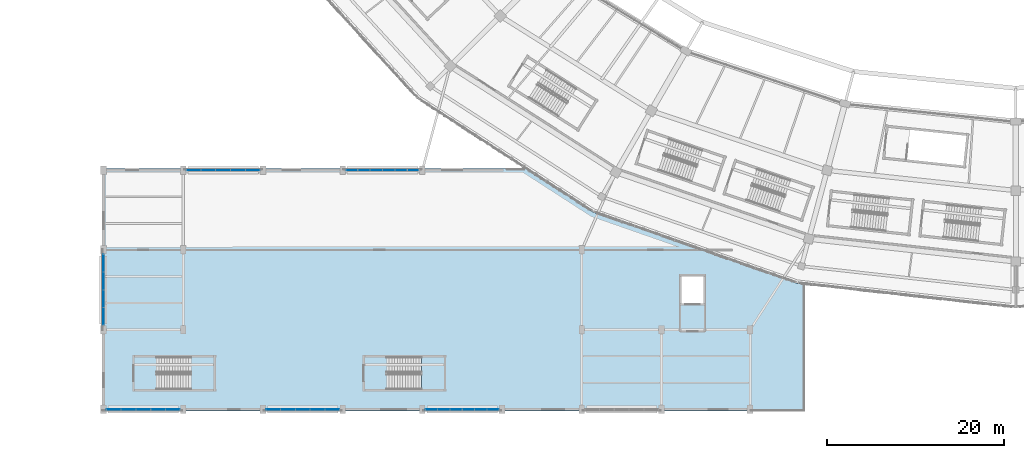
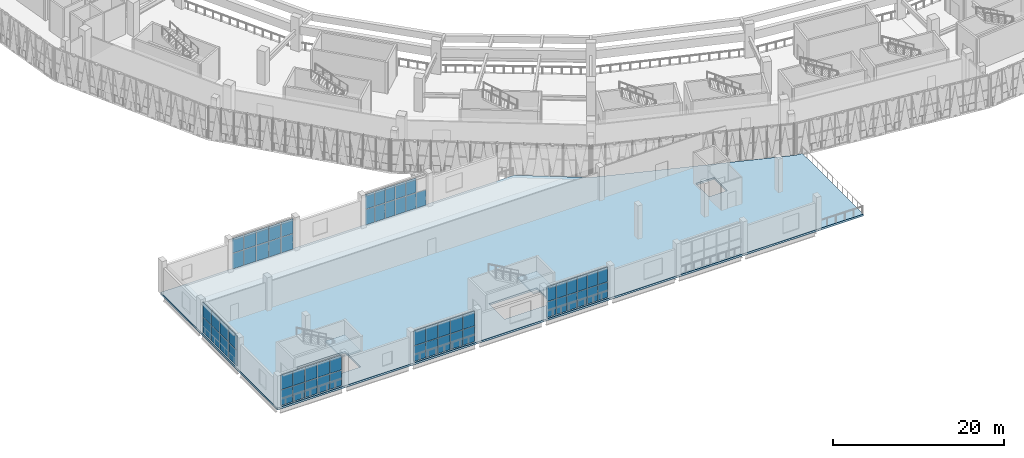
# One storey, part 75 of 179: 61 plates, 3 slabs, 8 elements without a shape of their own.
"""IFC4 building model written with IfcOpenShell, lengths in metres."""

from ifc_helpers import new_model, si_unit, direction, frame, origin, origin_2d, place, context, subcontext, project, spatial, polyline, rectangle, outline, extrude, material, layer, layer_set, type_object, element, aggregate, save


model = new_model("IFC4")

# Units and contexts
model_context = context("Model", 3, precision=1e-05, world=origin(), true_north=direction((0.0, 1.0)))
body_context = subcontext(model_context, "Body", "Model", "MODEL_VIEW")
ifc_project = project(units=[si_unit("LENGTHUNIT", "METRE"), si_unit("AREAUNIT", "SQUARE_METRE"), si_unit("VOLUMEUNIT", "CUBIC_METRE"), si_unit("PLANEANGLEUNIT", "RADIAN"), si_unit("MASSUNIT", "GRAM", prefix="KILO")], contexts=[model_context])

# Site, building, storey
site_placement = place(None, origin())
site = spatial("IfcSite", under=ifc_project, at=site_placement, CompositionType="ELEMENT")
building_placement = place(site_placement, origin())
building = spatial("IfcBuilding", under=site, at=building_placement, Name="Zevraka Park Crest Stadium", CompositionType="ELEMENT")
storey_placement = place(building_placement, frame((0.0, 0.0, 10.199951171875)))
storey = spatial("IfcBuildingStorey", under=building, at=storey_placement, Name="L02", CompositionType="ELEMENT", Elevation=10.199951171875)

# Curtain wall, plates
ifc_material_1 = material(Name="Anodised architectural aluminium and laminated safety glass", Category="aluminium")
curtain_wall_type_1 = type_object("IfcCurtainWallType", Name="CW26", PredefinedType="NOTDEFINED", material=ifc_material_1)
curtain_wall_1_placement = place(storey_placement, origin())
curtain_wall_1 = element("IfcCurtainWall", 1, at=curtain_wall_1_placement, inside=storey, type_object=curtain_wall_type_1, Name="Wing Curtain Wall CW26 L02-SW-S1-4", PredefinedType="NOTDEFINED")
ifc_material_2 = material(Name="Solar-control laminated double glazing", Category="glass")
ifc_layer_1 = layer(ifc_material_2, 0.035888671875)
ifc_layer_set_1 = layer_set([ifc_layer_1], Name="Solar-control laminated double glazing")
plate_type_1 = type_object("IfcPlateType", Name="CP26", PredefinedType="CURTAIN_PANEL", material=ifc_layer_set_1)
plate_1_placement = place(storey_placement, frame((52.97119140625, 0.0, 0.06494140625), z_axis=(0.0, 0.0, 1.0), x_axis=(-1.0, 0.0, 0.0)))
plate_1 = element("IfcPlate", 2, at=plate_1_placement, type_object=plate_type_1, Name="CW26 panel 1.1", PredefinedType="CURTAIN_PANEL", context=body_context, shape_type="SweptSolid", body=[
    extrude(rectangle(XDim=1.297607421875, YDim=0.035888671875, at=origin_2d()), origin(), (0.0, 0.0, 1.0), 2.202392578125),
])
plate_2_placement = place(storey_placement, frame((52.97119140625, 0.0, 2.33251953125), z_axis=(0.0, 0.0, 1.0), x_axis=(-1.0, 0.0, 0.0)))
plate_2 = element("IfcPlate", 3, at=plate_2_placement, type_object=plate_type_1, Name="CW26 panel 1.2", PredefinedType="CURTAIN_PANEL", context=body_context, shape_type="SweptSolid", body=[
    extrude(rectangle(XDim=1.297607421875, YDim=0.035888671875, at=origin_2d()), origin(), (0.0, 0.0, 1.0), 2.1025390625),
])
plate_3_placement = place(storey_placement, frame((51.592529296875, 0.0, 0.06494140625), z_axis=(0.0, 0.0, 1.0), x_axis=(-1.0, 0.0, 0.0)))
plate_3 = element("IfcPlate", 4, at=plate_3_placement, type_object=plate_type_1, Name="CW26 panel 2.1", PredefinedType="CURTAIN_PANEL", context=body_context, shape_type="SweptSolid", body=[
    extrude(rectangle(XDim=1.330078125, YDim=0.035888671875, at=origin_2d()), origin(), (0.0, 0.0, 1.0), 2.202392578125),
])
plate_4_placement = place(storey_placement, frame((51.592529296875, 0.0, 2.33251953125), z_axis=(0.0, 0.0, 1.0), x_axis=(-1.0, 0.0, 0.0)))
plate_4 = element("IfcPlate", 5, at=plate_4_placement, type_object=plate_type_1, Name="CW26 panel 2.2", PredefinedType="CURTAIN_PANEL", context=body_context, shape_type="SweptSolid", body=[
    extrude(rectangle(XDim=1.330078125, YDim=0.035888671875, at=origin_2d()), origin(), (0.0, 0.0, 1.0), 2.1025390625),
])
plate_5_placement = place(storey_placement, frame((50.197509765625, 0.0, 0.06494140625), z_axis=(0.0, 0.0, 1.0), x_axis=(-1.0, 0.0, 0.0)))
plate_5 = element("IfcPlate", 6, at=plate_5_placement, type_object=plate_type_1, Name="CW26 panel 3.1", PredefinedType="CURTAIN_PANEL", context=body_context, shape_type="SweptSolid", body=[
    extrude(rectangle(XDim=1.330078125, YDim=0.035888671875, at=origin_2d()), origin(), (0.0, 0.0, 1.0), 2.202392578125),
])
plate_6_placement = place(storey_placement, frame((50.197509765625, 0.0, 2.33251953125), z_axis=(0.0, 0.0, 1.0), x_axis=(-1.0, 0.0, 0.0)))
plate_6 = element("IfcPlate", 7, at=plate_6_placement, type_object=plate_type_1, Name="CW26 panel 3.2", PredefinedType="CURTAIN_PANEL", context=body_context, shape_type="SweptSolid", body=[
    extrude(rectangle(XDim=1.330078125, YDim=0.035888671875, at=origin_2d()), origin(), (0.0, 0.0, 1.0), 2.1025390625),
])
plate_7_placement = place(storey_placement, frame((48.802490234375, 0.0, 0.06494140625), z_axis=(0.0, 0.0, 1.0), x_axis=(-1.0, 0.0, 0.0)))
plate_7 = element("IfcPlate", 8, at=plate_7_placement, type_object=plate_type_1, Name="CW26 panel 4.1", PredefinedType="CURTAIN_PANEL", context=body_context, shape_type="SweptSolid", body=[
    extrude(rectangle(XDim=1.330078125, YDim=0.035888671875, at=origin_2d()), origin(), (0.0, 0.0, 1.0), 2.202392578125),
])
plate_8_placement = place(storey_placement, frame((48.802490234375, 0.0, 2.33251953125), z_axis=(0.0, 0.0, 1.0), x_axis=(-1.0, 0.0, 0.0)))
plate_8 = element("IfcPlate", 9, at=plate_8_placement, type_object=plate_type_1, Name="CW26 panel 4.2", PredefinedType="CURTAIN_PANEL", context=body_context, shape_type="SweptSolid", body=[
    extrude(rectangle(XDim=1.330078125, YDim=0.035888671875, at=origin_2d()), origin(), (0.0, 0.0, 1.0), 2.1025390625),
])
plate_9_placement = place(storey_placement, frame((47.407470703125, 0.0, 0.06494140625), z_axis=(0.0, 0.0, 1.0), x_axis=(-1.0, 0.0, 0.0)))
plate_9 = element("IfcPlate", 10, at=plate_9_placement, type_object=plate_type_1, Name="CW26 panel 5.1", PredefinedType="CURTAIN_PANEL", context=body_context, shape_type="SweptSolid", body=[
    extrude(rectangle(XDim=1.330078125, YDim=0.035888671875, at=origin_2d()), origin(), (0.0, 0.0, 1.0), 2.202392578125),
])
plate_10_placement = place(storey_placement, frame((47.407470703125, 0.0, 2.33251953125), z_axis=(0.0, 0.0, 1.0), x_axis=(-1.0, 0.0, 0.0)))
plate_10 = element("IfcPlate", 11, at=plate_10_placement, type_object=plate_type_1, Name="CW26 panel 5.2", PredefinedType="CURTAIN_PANEL", context=body_context, shape_type="SweptSolid", body=[
    extrude(rectangle(XDim=1.330078125, YDim=0.035888671875, at=origin_2d()), origin(), (0.0, 0.0, 1.0), 2.1025390625),
])
plate_11_placement = place(storey_placement, frame((46.02880859375, 0.0, 0.06494140625), z_axis=(0.0, 0.0, 1.0), x_axis=(-1.0, 0.0, 0.0)))
plate_11 = element("IfcPlate", 12, at=plate_11_placement, type_object=plate_type_1, Name="CW26 panel 6.1", PredefinedType="CURTAIN_PANEL", context=body_context, shape_type="SweptSolid", body=[
    extrude(rectangle(XDim=1.297607421875, YDim=0.035888671875, at=origin_2d()), origin(), (0.0, 0.0, 1.0), 2.202392578125),
])
plate_12_placement = place(storey_placement, frame((46.02880859375, 0.0, 2.33251953125), z_axis=(0.0, 0.0, 1.0), x_axis=(-1.0, 0.0, 0.0)))
plate_12 = element("IfcPlate", 13, at=plate_12_placement, type_object=plate_type_1, Name="CW26 panel 6.2", PredefinedType="CURTAIN_PANEL", context=body_context, shape_type="SweptSolid", body=[
    extrude(rectangle(XDim=1.297607421875, YDim=0.035888671875, at=origin_2d()), origin(), (0.0, 0.0, 1.0), 2.1025390625),
])
aggregate(curtain_wall_1, [plate_1, plate_2, plate_3, plate_4, plate_5, plate_6, plate_7, plate_8, plate_9, plate_10, plate_11, plate_12])

curtain_wall_2_placement = place(storey_placement, origin())
curtain_wall_2 = element("IfcCurtainWall", 14, at=curtain_wall_2_placement, inside=storey, type_object=curtain_wall_type_1, Name="Wing Curtain Wall CW26 L02-SW-N-4", PredefinedType="NOTDEFINED")
plate_13_placement = place(storey_placement, frame((37.02880859375, 27.0, 0.06494140625), z_axis=(0.0, 0.0, 1.0), x_axis=(1.0, 0.0, 0.0)))
plate_13 = element("IfcPlate", 15, at=plate_13_placement, type_object=plate_type_1, Name="CW26 panel 1.1", PredefinedType="CURTAIN_PANEL", context=body_context, shape_type="SweptSolid", body=[
    extrude(rectangle(XDim=1.297607421875, YDim=0.035888671875, at=origin_2d()), origin(), (0.0, 0.0, 1.0), 2.202392578125),
])
plate_14_placement = place(storey_placement, frame((37.02880859375, 27.0, 2.33251953125), z_axis=(0.0, 0.0, 1.0), x_axis=(1.0, 0.0, 0.0)))
plate_14 = element("IfcPlate", 16, at=plate_14_placement, type_object=plate_type_1, Name="CW26 panel 1.2", PredefinedType="CURTAIN_PANEL", context=body_context, shape_type="SweptSolid", body=[
    extrude(rectangle(XDim=1.297607421875, YDim=0.035888671875, at=origin_2d()), origin(), (0.0, 0.0, 1.0), 2.1025390625),
])
plate_15_placement = place(storey_placement, frame((38.407470703125, 27.0, 0.06494140625), z_axis=(0.0, 0.0, 1.0), x_axis=(1.0, 0.0, 0.0)))
plate_15 = element("IfcPlate", 17, at=plate_15_placement, type_object=plate_type_1, Name="CW26 panel 2.1", PredefinedType="CURTAIN_PANEL", context=body_context, shape_type="SweptSolid", body=[
    extrude(rectangle(XDim=1.330078125, YDim=0.035888671875, at=origin_2d()), origin(), (0.0, 0.0, 1.0), 2.202392578125),
])
plate_16_placement = place(storey_placement, frame((38.407470703125, 27.0, 2.33251953125), z_axis=(0.0, 0.0, 1.0), x_axis=(1.0, 0.0, 0.0)))
plate_16 = element("IfcPlate", 18, at=plate_16_placement, type_object=plate_type_1, Name="CW26 panel 2.2", PredefinedType="CURTAIN_PANEL", context=body_context, shape_type="SweptSolid", body=[
    extrude(rectangle(XDim=1.330078125, YDim=0.035888671875, at=origin_2d()), origin(), (0.0, 0.0, 1.0), 2.1025390625),
])
plate_17_placement = place(storey_placement, frame((39.802490234375, 27.0, 0.06494140625), z_axis=(0.0, 0.0, 1.0), x_axis=(1.0, 0.0, 0.0)))
plate_17 = element("IfcPlate", 19, at=plate_17_placement, type_object=plate_type_1, Name="CW26 panel 3.1", PredefinedType="CURTAIN_PANEL", context=body_context, shape_type="SweptSolid", body=[
    extrude(rectangle(XDim=1.330078125, YDim=0.035888671875, at=origin_2d()), origin(), (0.0, 0.0, 1.0), 2.202392578125),
])
plate_18_placement = place(storey_placement, frame((39.802490234375, 27.0, 2.33251953125), z_axis=(0.0, 0.0, 1.0), x_axis=(1.0, 0.0, 0.0)))
plate_18 = element("IfcPlate", 20, at=plate_18_placement, type_object=plate_type_1, Name="CW26 panel 3.2", PredefinedType="CURTAIN_PANEL", context=body_context, shape_type="SweptSolid", body=[
    extrude(rectangle(XDim=1.330078125, YDim=0.035888671875, at=origin_2d()), origin(), (0.0, 0.0, 1.0), 2.1025390625),
])
plate_19_placement = place(storey_placement, frame((41.197509765625, 27.0, 0.06494140625), z_axis=(0.0, 0.0, 1.0), x_axis=(1.0, 0.0, 0.0)))
plate_19 = element("IfcPlate", 21, at=plate_19_placement, type_object=plate_type_1, Name="CW26 panel 4.1", PredefinedType="CURTAIN_PANEL", context=body_context, shape_type="SweptSolid", body=[
    extrude(rectangle(XDim=1.330078125, YDim=0.035888671875, at=origin_2d()), origin(), (0.0, 0.0, 1.0), 2.202392578125),
])
plate_20_placement = place(storey_placement, frame((41.197509765625, 27.0, 2.33251953125), z_axis=(0.0, 0.0, 1.0), x_axis=(1.0, 0.0, 0.0)))
plate_20 = element("IfcPlate", 22, at=plate_20_placement, type_object=plate_type_1, Name="CW26 panel 4.2", PredefinedType="CURTAIN_PANEL", context=body_context, shape_type="SweptSolid", body=[
    extrude(rectangle(XDim=1.330078125, YDim=0.035888671875, at=origin_2d()), origin(), (0.0, 0.0, 1.0), 2.1025390625),
])
plate_21_placement = place(storey_placement, frame((42.592529296875, 27.0, 0.06494140625), z_axis=(0.0, 0.0, 1.0), x_axis=(1.0, 0.0, 0.0)))
plate_21 = element("IfcPlate", 23, at=plate_21_placement, type_object=plate_type_1, Name="CW26 panel 5.1", PredefinedType="CURTAIN_PANEL", context=body_context, shape_type="SweptSolid", body=[
    extrude(rectangle(XDim=1.330078125, YDim=0.035888671875, at=origin_2d()), origin(), (0.0, 0.0, 1.0), 2.202392578125),
])
plate_22_placement = place(storey_placement, frame((42.592529296875, 27.0, 2.33251953125), z_axis=(0.0, 0.0, 1.0), x_axis=(1.0, 0.0, 0.0)))
plate_22 = element("IfcPlate", 24, at=plate_22_placement, type_object=plate_type_1, Name="CW26 panel 5.2", PredefinedType="CURTAIN_PANEL", context=body_context, shape_type="SweptSolid", body=[
    extrude(rectangle(XDim=1.330078125, YDim=0.035888671875, at=origin_2d()), origin(), (0.0, 0.0, 1.0), 2.1025390625),
])
plate_23_placement = place(storey_placement, frame((43.97119140625, 27.0, 0.06494140625), z_axis=(0.0, 0.0, 1.0), x_axis=(1.0, 0.0, 0.0)))
plate_23 = element("IfcPlate", 25, at=plate_23_placement, type_object=plate_type_1, Name="CW26 panel 6.1", PredefinedType="CURTAIN_PANEL", context=body_context, shape_type="SweptSolid", body=[
    extrude(rectangle(XDim=1.297607421875, YDim=0.035888671875, at=origin_2d()), origin(), (0.0, 0.0, 1.0), 2.202392578125),
])
aggregate(curtain_wall_2, [plate_13, plate_14, plate_15, plate_16, plate_17, plate_18, plate_19, plate_20, plate_21, plate_22, plate_23])

ifc_material_3 = material(Name="Anodised architectural aluminium and laminated safety glass", Category="aluminium")
curtain_wall_type_2 = type_object("IfcCurtainWallType", Name="CW28", PredefinedType="NOTDEFINED", material=ifc_material_3)
curtain_wall_3_placement = place(storey_placement, origin())
curtain_wall_3 = element("IfcCurtainWall", 26, at=curtain_wall_3_placement, inside=storey, type_object=curtain_wall_type_2, Name="Wing Curtain Wall CW28 L02-SW-S1-6", PredefinedType="NOTDEFINED")
ifc_material_4 = material(Name="Solar-control laminated double glazing", Category="glass")
ifc_layer_2 = layer(ifc_material_4, 0.035888671875)
ifc_layer_set_2 = layer_set([ifc_layer_2], Name="Solar-control laminated double glazing")
plate_type_2 = type_object("IfcPlateType", Name="CP28", PredefinedType="CURTAIN_PANEL", material=ifc_layer_set_2)
plate_24_placement = place(storey_placement, frame((34.8330078125, 0.0, 0.06005859375), z_axis=(0.0, 0.0, 1.0), x_axis=(-1.0, 0.0, 0.0)))
plate_24 = element("IfcPlate", 27, at=plate_24_placement, type_object=plate_type_2, Name="CW28 panel 1.1", PredefinedType="CURTAIN_PANEL", context=body_context, shape_type="SweptSolid", body=[
    extrude(rectangle(XDim=1.583984375, YDim=0.035888671875, at=origin_2d()), origin(), (0.0, 0.0, 1.0), 2.2099609375),
])
plate_25_placement = place(storey_placement, frame((34.8330078125, 0.0, 2.330078125), z_axis=(0.0, 0.0, 1.0), x_axis=(-1.0, 0.0, 0.0)))
plate_25 = element("IfcPlate", 28, at=plate_25_placement, type_object=plate_type_2, Name="CW28 panel 1.2", PredefinedType="CURTAIN_PANEL", context=body_context, shape_type="SweptSolid", body=[
    extrude(rectangle(XDim=1.583984375, YDim=0.035888671875, at=origin_2d()), origin(), (0.0, 0.0, 1.0), 2.110107421875),
])
plate_26_placement = place(storey_placement, frame((33.174072265625, 0.0, 0.06005859375), z_axis=(0.0, 0.0, 1.0), x_axis=(-1.0, 0.0, 0.0)))
plate_26 = element("IfcPlate", 29, at=plate_26_placement, type_object=plate_type_2, Name="CW28 panel 2.1", PredefinedType="CURTAIN_PANEL", context=body_context, shape_type="SweptSolid", body=[
    extrude(rectangle(XDim=1.614013671875, YDim=0.035888671875, at=origin_2d()), origin(), (0.0, 0.0, 1.0), 2.2099609375),
])
plate_27_placement = place(storey_placement, frame((33.174072265625, 0.0, 2.330078125), z_axis=(0.0, 0.0, 1.0), x_axis=(-1.0, 0.0, 0.0)))
plate_27 = element("IfcPlate", 30, at=plate_27_placement, type_object=plate_type_2, Name="CW28 panel 2.2", PredefinedType="CURTAIN_PANEL", context=body_context, shape_type="SweptSolid", body=[
    extrude(rectangle(XDim=1.614013671875, YDim=0.035888671875, at=origin_2d()), origin(), (0.0, 0.0, 1.0), 2.110107421875),
])
plate_28_placement = place(storey_placement, frame((31.5, 0.0, 0.06005859375), z_axis=(0.0, 0.0, 1.0), x_axis=(-1.0, 0.0, 0.0)))
plate_28 = element("IfcPlate", 31, at=plate_28_placement, type_object=plate_type_2, Name="CW28 panel 3.1", PredefinedType="CURTAIN_PANEL", context=body_context, shape_type="SweptSolid", body=[
    extrude(rectangle(XDim=1.614013671875, YDim=0.035888671875, at=origin_2d()), origin(), (0.0, 0.0, 1.0), 2.2099609375),
])
plate_29_placement = place(storey_placement, frame((31.5, 0.0, 2.330078125), z_axis=(0.0, 0.0, 1.0), x_axis=(-1.0, 0.0, 0.0)))
plate_29 = element("IfcPlate", 32, at=plate_29_placement, type_object=plate_type_2, Name="CW28 panel 3.2", PredefinedType="CURTAIN_PANEL", context=body_context, shape_type="SweptSolid", body=[
    extrude(rectangle(XDim=1.614013671875, YDim=0.035888671875, at=origin_2d()), origin(), (0.0, 0.0, 1.0), 2.110107421875),
])
plate_30_placement = place(storey_placement, frame((29.825927734375, 0.0, 0.06005859375), z_axis=(0.0, 0.0, 1.0), x_axis=(-1.0, 0.0, 0.0)))
plate_30 = element("IfcPlate", 33, at=plate_30_placement, type_object=plate_type_2, Name="CW28 panel 4.1", PredefinedType="CURTAIN_PANEL", context=body_context, shape_type="SweptSolid", body=[
    extrude(rectangle(XDim=1.614013671875, YDim=0.035888671875, at=origin_2d()), origin(), (0.0, 0.0, 1.0), 2.2099609375),
])
plate_31_placement = place(storey_placement, frame((29.825927734375, 0.0, 2.330078125), z_axis=(0.0, 0.0, 1.0), x_axis=(-1.0, 0.0, 0.0)))
plate_31 = element("IfcPlate", 34, at=plate_31_placement, type_object=plate_type_2, Name="CW28 panel 4.2", PredefinedType="CURTAIN_PANEL", context=body_context, shape_type="SweptSolid", body=[
    extrude(rectangle(XDim=1.614013671875, YDim=0.035888671875, at=origin_2d()), origin(), (0.0, 0.0, 1.0), 2.110107421875),
])
plate_32_placement = place(storey_placement, frame((28.1669921875, 0.0, 0.06005859375), z_axis=(0.0, 0.0, 1.0), x_axis=(-1.0, 0.0, 0.0)))
plate_32 = element("IfcPlate", 35, at=plate_32_placement, type_object=plate_type_2, Name="CW28 panel 5.1", PredefinedType="CURTAIN_PANEL", context=body_context, shape_type="SweptSolid", body=[
    extrude(rectangle(XDim=1.583984375, YDim=0.035888671875, at=origin_2d()), origin(), (0.0, 0.0, 1.0), 2.2099609375),
])
plate_33_placement = place(storey_placement, frame((28.1669921875, 0.0, 2.330078125), z_axis=(0.0, 0.0, 1.0), x_axis=(-1.0, 0.0, 0.0)))
plate_33 = element("IfcPlate", 36, at=plate_33_placement, type_object=plate_type_2, Name="CW28 panel 5.2", PredefinedType="CURTAIN_PANEL", context=body_context, shape_type="SweptSolid", body=[
    extrude(rectangle(XDim=1.583984375, YDim=0.035888671875, at=origin_2d()), origin(), (0.0, 0.0, 1.0), 2.110107421875),
])
aggregate(curtain_wall_3, [plate_24, plate_25, plate_26, plate_27, plate_28, plate_29, plate_30, plate_31, plate_32, plate_33])

ifc_material_5 = material(Name="Anodised architectural aluminium and laminated safety glass", Category="aluminium")
curtain_wall_type_3 = type_object("IfcCurtainWallType", Name="CW29", PredefinedType="NOTDEFINED", material=ifc_material_5)
curtain_wall_4_placement = place(storey_placement, origin())
curtain_wall_4 = element("IfcCurtainWall", 37, at=curtain_wall_4_placement, inside=storey, type_object=curtain_wall_type_3, Name="Wing Curtain Wall CW29 L02-SW-W-2", PredefinedType="NOTDEFINED")
ifc_material_6 = material(Name="Solar-control laminated double glazing", Category="glass")
ifc_layer_3 = layer(ifc_material_6, 0.035888671875)
ifc_layer_set_3 = layer_set([ifc_layer_3], Name="Solar-control laminated double glazing")
plate_type_3 = type_object("IfcPlateType", Name="CP29", PredefinedType="CURTAIN_PANEL", material=ifc_layer_set_3)
plate_34_placement = place(storey_placement, frame((9.0, 10.489990234375, 0.06494140625), z_axis=(0.0, 0.0, 1.0), x_axis=(0.0, 1.0, 0.0)))
plate_34 = element("IfcPlate", 38, at=plate_34_placement, type_object=plate_type_3, Name="CW29 panel 1.1", PredefinedType="CURTAIN_PANEL", context=body_context, shape_type="SweptSolid", body=[
    extrude(rectangle(XDim=1.919921875, YDim=0.035888671875, at=origin_2d()), origin(), (0.0, 0.0, 1.0), 2.202392578125),
])
plate_35_placement = place(storey_placement, frame((9.0, 10.489990234375, 2.33251953125), z_axis=(0.0, 0.0, 1.0), x_axis=(0.0, 1.0, 0.0)))
plate_35 = element("IfcPlate", 39, at=plate_35_placement, type_object=plate_type_3, Name="CW29 panel 1.2", PredefinedType="CURTAIN_PANEL", context=body_context, shape_type="SweptSolid", body=[
    extrude(rectangle(XDim=1.919921875, YDim=0.035888671875, at=origin_2d()), origin(), (0.0, 0.0, 1.0), 2.1025390625),
])
plate_36_placement = place(storey_placement, frame((9.0, 12.4912109375, 0.06494140625), z_axis=(0.0, 0.0, 1.0), x_axis=(0.0, 1.0, 0.0)))
plate_36 = element("IfcPlate", 40, at=plate_36_placement, type_object=plate_type_3, Name="CW29 panel 2.1", PredefinedType="CURTAIN_PANEL", context=body_context, shape_type="SweptSolid", body=[
    extrude(rectangle(XDim=1.952392578125, YDim=0.035888671875, at=origin_2d()), origin(), (0.0, 0.0, 1.0), 2.202392578125),
])
plate_37_placement = place(storey_placement, frame((9.0, 12.4912109375, 2.33251953125), z_axis=(0.0, 0.0, 1.0), x_axis=(0.0, 1.0, 0.0)))
plate_37 = element("IfcPlate", 41, at=plate_37_placement, type_object=plate_type_3, Name="CW29 panel 2.2", PredefinedType="CURTAIN_PANEL", context=body_context, shape_type="SweptSolid", body=[
    extrude(rectangle(XDim=1.952392578125, YDim=0.035888671875, at=origin_2d()), origin(), (0.0, 0.0, 1.0), 2.1025390625),
])
plate_38_placement = place(storey_placement, frame((9.0, 14.5087890625, 0.06494140625), z_axis=(0.0, 0.0, 1.0), x_axis=(0.0, 1.0, 0.0)))
plate_38 = element("IfcPlate", 42, at=plate_38_placement, type_object=plate_type_3, Name="CW29 panel 3.1", PredefinedType="CURTAIN_PANEL", context=body_context, shape_type="SweptSolid", body=[
    extrude(rectangle(XDim=1.952392578125, YDim=0.035888671875, at=origin_2d()), origin(), (0.0, 0.0, 1.0), 2.202392578125),
])
plate_39_placement = place(storey_placement, frame((9.0, 14.5087890625, 2.33251953125), z_axis=(0.0, 0.0, 1.0), x_axis=(0.0, 1.0, 0.0)))
plate_39 = element("IfcPlate", 43, at=plate_39_placement, type_object=plate_type_3, Name="CW29 panel 3.2", PredefinedType="CURTAIN_PANEL", context=body_context, shape_type="SweptSolid", body=[
    extrude(rectangle(XDim=1.952392578125, YDim=0.035888671875, at=origin_2d()), origin(), (0.0, 0.0, 1.0), 2.1025390625),
])
plate_40_placement = place(storey_placement, frame((9.0, 16.510009765625, 0.06494140625), z_axis=(0.0, 0.0, 1.0), x_axis=(0.0, 1.0, 0.0)))
plate_40 = element("IfcPlate", 44, at=plate_40_placement, type_object=plate_type_3, Name="CW29 panel 4.1", PredefinedType="CURTAIN_PANEL", context=body_context, shape_type="SweptSolid", body=[
    extrude(rectangle(XDim=1.919921875, YDim=0.035888671875, at=origin_2d()), origin(), (0.0, 0.0, 1.0), 2.202392578125),
])
plate_41_placement = place(storey_placement, frame((9.0, 16.510009765625, 2.33251953125), z_axis=(0.0, 0.0, 1.0), x_axis=(0.0, 1.0, 0.0)))
plate_41 = element("IfcPlate", 45, at=plate_41_placement, type_object=plate_type_3, Name="CW29 panel 4.2", PredefinedType="CURTAIN_PANEL", context=body_context, shape_type="SweptSolid", body=[
    extrude(rectangle(XDim=1.919921875, YDim=0.035888671875, at=origin_2d()), origin(), (0.0, 0.0, 1.0), 2.1025390625),
])
aggregate(curtain_wall_4, [plate_34, plate_35, plate_36, plate_37, plate_38, plate_39, plate_40, plate_41])

curtain_wall_5_placement = place(storey_placement, origin())
curtain_wall_5 = element("IfcCurtainWall", 46, at=curtain_wall_5_placement, inside=storey, type_object=curtain_wall_type_3, Name="Wing Curtain Wall CW29 L02-SW-N-2", PredefinedType="NOTDEFINED")
plate_42_placement = place(storey_placement, frame((19.168212890625, 27.0, 0.06494140625), z_axis=(0.0, 0.0, 1.0), x_axis=(1.0, 0.0, 0.0)))
plate_42 = element("IfcPlate", 47, at=plate_42_placement, type_object=plate_type_3, Name="CW29 panel 1.1", PredefinedType="CURTAIN_PANEL", context=body_context, shape_type="SweptSolid", body=[
    extrude(rectangle(XDim=1.576416015625, YDim=0.035888671875, at=origin_2d()), origin(), (0.0, 0.0, 1.0), 2.202392578125),
])
plate_43_placement = place(storey_placement, frame((19.168212890625, 27.0, 2.33251953125), z_axis=(0.0, 0.0, 1.0), x_axis=(1.0, 0.0, 0.0)))
plate_43 = element("IfcPlate", 48, at=plate_43_placement, type_object=plate_type_3, Name="CW29 panel 1.2", PredefinedType="CURTAIN_PANEL", context=body_context, shape_type="SweptSolid", body=[
    extrude(rectangle(XDim=1.576416015625, YDim=0.035888671875, at=origin_2d()), origin(), (0.0, 0.0, 1.0), 2.1025390625),
])
plate_44_placement = place(storey_placement, frame((20.825927734375, 27.0, 0.06494140625), z_axis=(0.0, 0.0, 1.0), x_axis=(1.0, 0.0, 0.0)))
plate_44 = element("IfcPlate", 49, at=plate_44_placement, type_object=plate_type_3, Name="CW29 panel 2.1", PredefinedType="CURTAIN_PANEL", context=body_context, shape_type="SweptSolid", body=[
    extrude(rectangle(XDim=1.60888671875, YDim=0.035888671875, at=origin_2d()), origin(), (0.0, 0.0, 1.0), 2.202392578125),
])
plate_45_placement = place(storey_placement, frame((20.825927734375, 27.0, 2.33251953125), z_axis=(0.0, 0.0, 1.0), x_axis=(1.0, 0.0, 0.0)))
plate_45 = element("IfcPlate", 50, at=plate_45_placement, type_object=plate_type_3, Name="CW29 panel 2.2", PredefinedType="CURTAIN_PANEL", context=body_context, shape_type="SweptSolid", body=[
    extrude(rectangle(XDim=1.60888671875, YDim=0.035888671875, at=origin_2d()), origin(), (0.0, 0.0, 1.0), 2.1025390625),
])
plate_46_placement = place(storey_placement, frame((22.5, 27.0, 0.06494140625), z_axis=(0.0, 0.0, 1.0), x_axis=(1.0, 0.0, 0.0)))
plate_46 = element("IfcPlate", 51, at=plate_46_placement, type_object=plate_type_3, Name="CW29 panel 3.1", PredefinedType="CURTAIN_PANEL", context=body_context, shape_type="SweptSolid", body=[
    extrude(rectangle(XDim=1.60888671875, YDim=0.035888671875, at=origin_2d()), origin(), (0.0, 0.0, 1.0), 2.202392578125),
])
plate_47_placement = place(storey_placement, frame((22.5, 27.0, 2.33251953125), z_axis=(0.0, 0.0, 1.0), x_axis=(1.0, 0.0, 0.0)))
plate_47 = element("IfcPlate", 52, at=plate_47_placement, type_object=plate_type_3, Name="CW29 panel 3.2", PredefinedType="CURTAIN_PANEL", context=body_context, shape_type="SweptSolid", body=[
    extrude(rectangle(XDim=1.60888671875, YDim=0.035888671875, at=origin_2d()), origin(), (0.0, 0.0, 1.0), 2.1025390625),
])
plate_48_placement = place(storey_placement, frame((24.174072265625, 27.0, 0.06494140625), z_axis=(0.0, 0.0, 1.0), x_axis=(1.0, 0.0, 0.0)))
plate_48 = element("IfcPlate", 53, at=plate_48_placement, type_object=plate_type_3, Name="CW29 panel 4.1", PredefinedType="CURTAIN_PANEL", context=body_context, shape_type="SweptSolid", body=[
    extrude(rectangle(XDim=1.60888671875, YDim=0.035888671875, at=origin_2d()), origin(), (0.0, 0.0, 1.0), 2.202392578125),
])
plate_49_placement = place(storey_placement, frame((24.174072265625, 27.0, 2.33251953125), z_axis=(0.0, 0.0, 1.0), x_axis=(1.0, 0.0, 0.0)))
plate_49 = element("IfcPlate", 54, at=plate_49_placement, type_object=plate_type_3, Name="CW29 panel 4.2", PredefinedType="CURTAIN_PANEL", context=body_context, shape_type="SweptSolid", body=[
    extrude(rectangle(XDim=1.60888671875, YDim=0.035888671875, at=origin_2d()), origin(), (0.0, 0.0, 1.0), 2.1025390625),
])
plate_50_placement = place(storey_placement, frame((25.831787109375, 27.0, 0.06494140625), z_axis=(0.0, 0.0, 1.0), x_axis=(1.0, 0.0, 0.0)))
plate_50 = element("IfcPlate", 55, at=plate_50_placement, type_object=plate_type_3, Name="CW29 panel 5.1", PredefinedType="CURTAIN_PANEL", context=body_context, shape_type="SweptSolid", body=[
    extrude(rectangle(XDim=1.576416015625, YDim=0.035888671875, at=origin_2d()), origin(), (0.0, 0.0, 1.0), 2.202392578125),
])
plate_51_placement = place(storey_placement, frame((25.831787109375, 27.0, 2.33251953125), z_axis=(0.0, 0.0, 1.0), x_axis=(1.0, 0.0, 0.0)))
plate_51 = element("IfcPlate", 56, at=plate_51_placement, type_object=plate_type_3, Name="CW29 panel 5.2", PredefinedType="CURTAIN_PANEL", context=body_context, shape_type="SweptSolid", body=[
    extrude(rectangle(XDim=1.576416015625, YDim=0.035888671875, at=origin_2d()), origin(), (0.0, 0.0, 1.0), 2.1025390625),
])
aggregate(curtain_wall_5, [plate_42, plate_43, plate_44, plate_45, plate_46, plate_47, plate_48, plate_49, plate_50, plate_51])

ifc_material_7 = material(Name="Anodised architectural aluminium and laminated safety glass", Category="aluminium")
curtain_wall_type_4 = type_object("IfcCurtainWallType", Name="CW30", PredefinedType="NOTDEFINED", material=ifc_material_7)
curtain_wall_6_placement = place(storey_placement, origin())
curtain_wall_6 = element("IfcCurtainWall", 57, at=curtain_wall_6_placement, inside=storey, type_object=curtain_wall_type_4, Name="Wing Curtain Wall CW30 L02-SW-S1-8", PredefinedType="NOTDEFINED")
ifc_material_8 = material(Name="Solar-control laminated double glazing", Category="glass")
ifc_layer_4 = layer(ifc_material_8, 0.035888671875)
ifc_layer_set_4 = layer_set([ifc_layer_4], Name="Solar-control laminated double glazing")
plate_type_4 = type_object("IfcPlateType", Name="CP30", PredefinedType="CURTAIN_PANEL", material=ifc_layer_set_4)
plate_52_placement = place(storey_placement, frame((16.83056640625, 0.0, 0.06982421875), z_axis=(0.0, 0.0, 1.0), x_axis=(-1.0, 0.0, 0.0)))
plate_52 = element("IfcPlate", 58, at=plate_52_placement, type_object=plate_type_4, Name="CW30 panel 1.1", PredefinedType="CURTAIN_PANEL", context=body_context, shape_type="SweptSolid", body=[
    extrude(rectangle(XDim=1.569091796875, YDim=0.035888671875, at=origin_2d()), origin(), (0.0, 0.0, 1.0), 2.195068359375),
])
plate_53_placement = place(storey_placement, frame((16.83056640625, 0.0, 2.3349609375), z_axis=(0.0, 0.0, 1.0), x_axis=(-1.0, 0.0, 0.0)))
plate_53 = element("IfcPlate", 59, at=plate_53_placement, type_object=plate_type_4, Name="CW30 panel 1.2", PredefinedType="CURTAIN_PANEL", context=body_context, shape_type="SweptSolid", body=[
    extrude(rectangle(XDim=1.569091796875, YDim=0.035888671875, at=origin_2d()), origin(), (0.0, 0.0, 1.0), 2.094970703125),
])
plate_54_placement = place(storey_placement, frame((15.174072265625, 0.0, 0.06982421875), z_axis=(0.0, 0.0, 1.0), x_axis=(-1.0, 0.0, 0.0)))
plate_54 = element("IfcPlate", 60, at=plate_54_placement, type_object=plate_type_4, Name="CW30 panel 2.1", PredefinedType="CURTAIN_PANEL", context=body_context, shape_type="SweptSolid", body=[
    extrude(rectangle(XDim=1.60400390625, YDim=0.035888671875, at=origin_2d()), origin(), (0.0, 0.0, 1.0), 2.195068359375),
])
plate_55_placement = place(storey_placement, frame((15.174072265625, 0.0, 2.3349609375), z_axis=(0.0, 0.0, 1.0), x_axis=(-1.0, 0.0, 0.0)))
plate_55 = element("IfcPlate", 61, at=plate_55_placement, type_object=plate_type_4, Name="CW30 panel 2.2", PredefinedType="CURTAIN_PANEL", context=body_context, shape_type="SweptSolid", body=[
    extrude(rectangle(XDim=1.60400390625, YDim=0.035888671875, at=origin_2d()), origin(), (0.0, 0.0, 1.0), 2.094970703125),
])
plate_56_placement = place(storey_placement, frame((13.5, 0.0, 0.06982421875), z_axis=(0.0, 0.0, 1.0), x_axis=(-1.0, 0.0, 0.0)))
plate_56 = element("IfcPlate", 62, at=plate_56_placement, type_object=plate_type_4, Name="CW30 panel 3.1", PredefinedType="CURTAIN_PANEL", context=body_context, shape_type="SweptSolid", body=[
    extrude(rectangle(XDim=1.60400390625, YDim=0.035888671875, at=origin_2d()), origin(), (0.0, 0.0, 1.0), 2.195068359375),
])
plate_57_placement = place(storey_placement, frame((13.5, 0.0, 2.3349609375), z_axis=(0.0, 0.0, 1.0), x_axis=(-1.0, 0.0, 0.0)))
plate_57 = element("IfcPlate", 63, at=plate_57_placement, type_object=plate_type_4, Name="CW30 panel 3.2", PredefinedType="CURTAIN_PANEL", context=body_context, shape_type="SweptSolid", body=[
    extrude(rectangle(XDim=1.60400390625, YDim=0.035888671875, at=origin_2d()), origin(), (0.0, 0.0, 1.0), 2.094970703125),
])
plate_58_placement = place(storey_placement, frame((11.825927734375, 0.0, 0.06982421875), z_axis=(0.0, 0.0, 1.0), x_axis=(-1.0, 0.0, 0.0)))
plate_58 = element("IfcPlate", 64, at=plate_58_placement, type_object=plate_type_4, Name="CW30 panel 4.1", PredefinedType="CURTAIN_PANEL", context=body_context, shape_type="SweptSolid", body=[
    extrude(rectangle(XDim=1.60400390625, YDim=0.035888671875, at=origin_2d()), origin(), (0.0, 0.0, 1.0), 2.195068359375),
])
plate_59_placement = place(storey_placement, frame((11.825927734375, 0.0, 2.3349609375), z_axis=(0.0, 0.0, 1.0), x_axis=(-1.0, 0.0, 0.0)))
plate_59 = element("IfcPlate", 65, at=plate_59_placement, type_object=plate_type_4, Name="CW30 panel 4.2", PredefinedType="CURTAIN_PANEL", context=body_context, shape_type="SweptSolid", body=[
    extrude(rectangle(XDim=1.60400390625, YDim=0.035888671875, at=origin_2d()), origin(), (0.0, 0.0, 1.0), 2.094970703125),
])
plate_60_placement = place(storey_placement, frame((10.16943359375, 0.0, 0.06982421875), z_axis=(0.0, 0.0, 1.0), x_axis=(-1.0, 0.0, 0.0)))
plate_60 = element("IfcPlate", 66, at=plate_60_placement, type_object=plate_type_4, Name="CW30 panel 5.1", PredefinedType="CURTAIN_PANEL", context=body_context, shape_type="SweptSolid", body=[
    extrude(rectangle(XDim=1.569091796875, YDim=0.035888671875, at=origin_2d()), origin(), (0.0, 0.0, 1.0), 2.195068359375),
])
plate_61_placement = place(storey_placement, frame((10.16943359375, 0.0, 2.3349609375), z_axis=(0.0, 0.0, 1.0), x_axis=(-1.0, 0.0, 0.0)))
plate_61 = element("IfcPlate", 67, at=plate_61_placement, type_object=plate_type_4, Name="CW30 panel 5.2", PredefinedType="CURTAIN_PANEL", context=body_context, shape_type="SweptSolid", body=[
    extrude(rectangle(XDim=1.569091796875, YDim=0.035888671875, at=origin_2d()), origin(), (0.0, 0.0, 1.0), 2.094970703125),
])
aggregate(curtain_wall_6, [plate_52, plate_53, plate_54, plate_55, plate_56, plate_57, plate_58, plate_59, plate_60, plate_61])

# Slab
ifc_material_9 = material(Name="Concrete C35/45", Category="concrete")
ifc_layer_5 = layer(ifc_material_9, 0.280029296875)
ifc_layer_set_5 = layer_set([ifc_layer_5], Name="Concrete C35/45")
slab_type_1 = type_object("IfcSlabType", Name="FS02", PredefinedType="FLOOR", material=ifc_layer_set_5)
slab_1_placement = place(storey_placement, frame((0.0, 0.0, -0.280029296875)))
element("IfcSlab", 68, at=slab_1_placement, inside=storey, type_object=slab_type_1, Name="South Street Broadcast, Press Auditorium and Central Plant Wing Floor Slab L02-1", PredefinedType="FLOOR", context=body_context, shape_type="SweptSolid", body=[
    extrude(outline(polyline([(64.248046875, 22.280029296875), (87.281005859375, 14.238037109375), (88.175048828125, 14.138916015625), (88.175048828125, -0.175048828125), (8.824951171875, -0.175048828125), (8.824951171875, 27.175048828125), (56.679931640625, 27.175048828125), (64.248046875, 22.280029296875)]), holes=[polyline([(14.97998046875, 2.25), (21.5, 2.25), (21.5, 5.909912109375), (14.97998046875, 5.909912109375), (14.97998046875, 2.25)]), polyline([(40.97998046875, 5.909912109375), (40.97998046875, 2.25), (47.5, 2.25), (47.5, 5.909912109375), (40.97998046875, 5.909912109375)]), polyline([(74.25, 15.050048828125), (74.25, 11.949951171875), (76.75, 11.949951171875), (76.75, 15.050048828125), (74.25, 15.050048828125)])]), origin(), (0.0, 0.0, 1.0), 0.280029296875),
])

# Stair, slab
ifc_material_10 = material(Name="Concrete C35/45", Category="concrete")
stair_type = type_object("IfcStairType", Name="STC2", PredefinedType="HALF_TURN_STAIR", material=ifc_material_10)
stair_1_placement = place(storey_placement, origin())
stair_1 = element("IfcStair", 69, at=stair_1_placement, inside=storey, type_object=stair_type, Name="L02 South Broadcast Wing West Stair ST51", PredefinedType="HALF_TURN_STAIR")
ifc_material_11 = material(Name="Concrete C35/45", Category="concrete")
ifc_layer_6 = layer(ifc_material_11, 0.199951171875)
ifc_layer_set_6 = layer_set([ifc_layer_6], Name="Concrete C35/45")
slab_type_2 = type_object("IfcSlabType", Name="LS01", PredefinedType="LANDING", material=ifc_layer_set_6)
slab_2_placement = place(storey_placement, frame((0.0, 0.0, 2.199951171875)))
slab_2 = element("IfcSlab", 70, at=slab_2_placement, type_object=slab_type_2, Name="ST51 landing 1", PredefinedType="LANDING", context=body_context, shape_type="SweptSolid", body=[
    extrude(outline(polyline([(18.889892578125, 2.25), (21.5, 2.25), (21.5, 5.909912109375), (18.889892578125, 5.909912109375), (18.889892578125, 2.25)])), origin(), (0.0, 0.0, 1.0), 0.2001953125),
])
aggregate(stair_1, [slab_2])

stair_2_placement = place(storey_placement, origin())
stair_2 = element("IfcStair", 71, at=stair_2_placement, inside=storey, type_object=stair_type, Name="L02 South Broadcast Wing East Stair ST52", PredefinedType="HALF_TURN_STAIR")
slab_3_placement = place(storey_placement, frame((0.0, 0.0, 2.199951171875)))
slab_3 = element("IfcSlab", 72, at=slab_3_placement, type_object=slab_type_2, Name="ST52 landing 1", PredefinedType="LANDING", context=body_context, shape_type="SweptSolid", body=[
    extrude(outline(polyline([(44.889892578125, 2.25), (47.5, 2.25), (47.5, 5.909912109375), (44.889892578125, 5.909912109375), (44.889892578125, 2.25)])), origin(), (0.0, 0.0, 1.0), 0.2001953125),
])
aggregate(stair_2, [slab_3])

save(model, "model.ifc")
